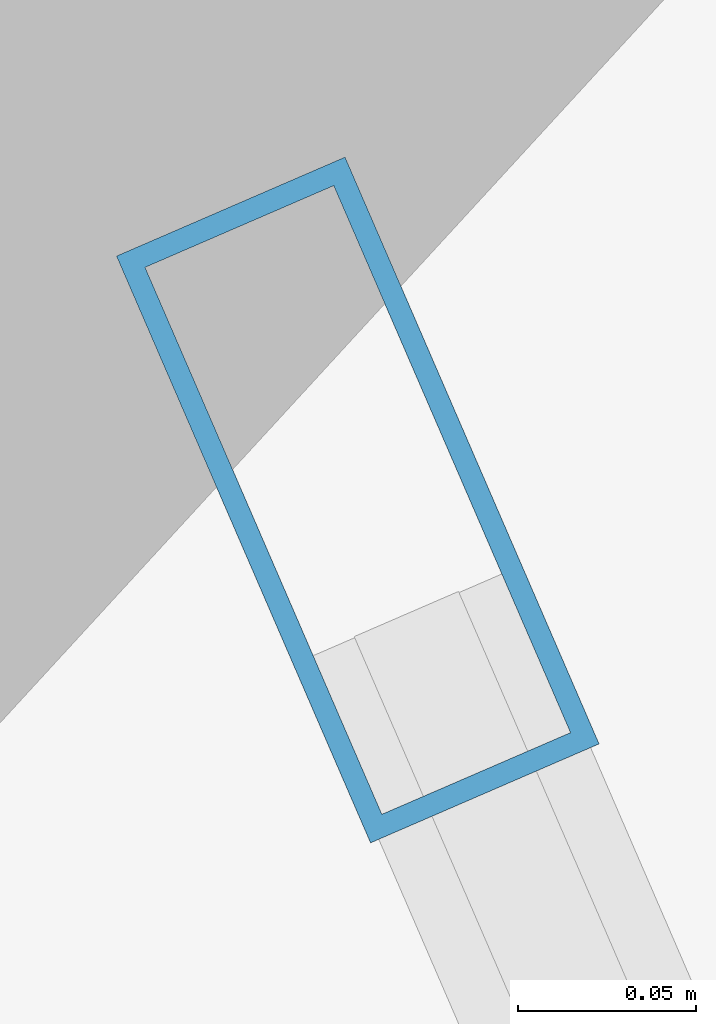
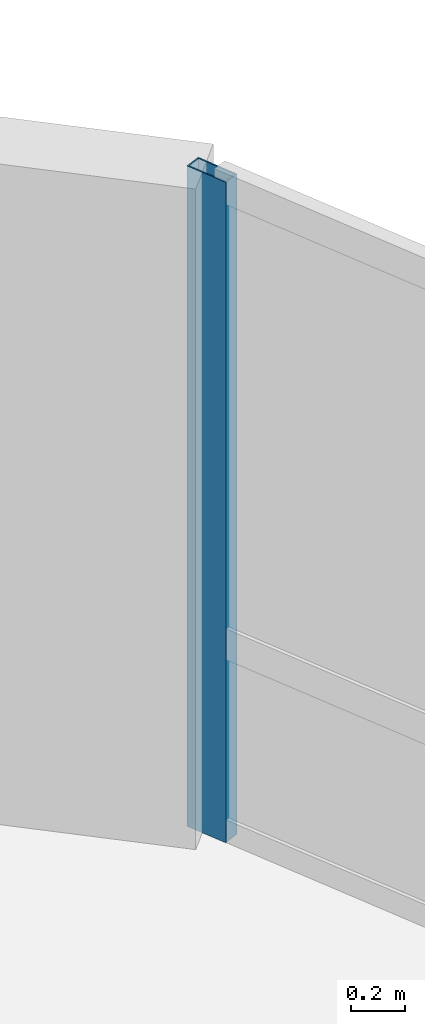
# One storey, part 10 of 17: 1 member, 1 element without a shape of its own.
"""IFC4 building model written with IfcOpenShell, lengths in metres."""

from ifc_helpers import new_model, si_unit, direction, frame, origin, origin_2d, place, context, subcontext, project, spatial, hollow_rectangle, extrude, material, layer, layer_set, material_profile, profile_set, type_object, element, aggregate, save


model = new_model("IFC4")

# Units and contexts
model_context = context("Model", 3, precision=1e-05, world=origin(), true_north=direction((0.0, 1.0)))
body_context = subcontext(model_context, "Body", "Model", "MODEL_VIEW")
ifc_project = project(units=[si_unit("LENGTHUNIT", "METRE"), si_unit("AREAUNIT", "SQUARE_METRE"), si_unit("VOLUMEUNIT", "CUBIC_METRE"), si_unit("PLANEANGLEUNIT", "RADIAN"), si_unit("MASSUNIT", "GRAM", prefix="KILO"), si_unit("THERMODYNAMICTEMPERATUREUNIT", "KELVIN"), si_unit("POWERUNIT", "WATT")], contexts=[model_context])

# Site, building, storey
site_placement = place(None, origin())
site = spatial("IfcSite", under=ifc_project, at=site_placement, CompositionType="ELEMENT")
building_placement = place(site_placement, origin())
building = spatial("IfcBuilding", under=site, at=building_placement, Name="Ocrelia Relay Tower", CompositionType="ELEMENT")
storey_placement = place(building_placement, frame((0.0, 0.0, 76.199951171875)))
storey = spatial("IfcBuildingStorey", under=building, at=storey_placement, Name="L17", CompositionType="ELEMENT", Elevation=76.199951171875)

# Curtain wall, member
ifc_material_1 = material(Name="Aluminium and solar-control low-E glass", Category="aluminium")
ifc_layer = layer(ifc_material_1, 0.179931640625, Name="Aluminium and solar-control low-E glass")
ifc_layer_set = layer_set([ifc_layer], Name="Aluminium and solar-control low-E glass")
curtain_wall_type = type_object("IfcCurtainWallType", Name="CW-SYS-Z1-DATA", PredefinedType="NOTDEFINED", material=ifc_layer_set)
curtain_wall_placement = place(storey_placement, origin())
curtain_wall = element("IfcCurtainWall", 1, at=curtain_wall_placement, inside=storey, type_object=curtain_wall_type, Name="L17 Elliptical Tower Curtain Wall Bay 01", PredefinedType="NOTDEFINED")
ifc_material_2 = material(Name="Anodised bronze aluminium", Category="aluminium")
ifc_material_profile = material_profile(ifc_material_2, hollow_rectangle(XDim=0.070068359375, YDim=0.179931640625, WallThickness=0.006103515625, at=origin_2d()), Name="CW-MUL-180x70")
ifc_profile_set = profile_set([ifc_material_profile], Name="Anodised bronze aluminium")
member_type = type_object("IfcMemberType", Name="CW-SYS-Z1-DATA-MUL", PredefinedType="MULLION", material=ifc_profile_set)
member_placement = place(storey_placement, frame((58.3828125, 37.870361328125, 0.0), z_axis=(0.0, 0.0, 1.0), x_axis=(-0.917682954818, -0.397313471249, 0.0)))
member = element("IfcMember", 2, at=member_placement, type_object=member_type, Name="CW-Z1 mullion 3", PredefinedType="MULLION", context=body_context, shape_type="SweptSolid", body=[
    extrude(hollow_rectangle(XDim=0.070068359375, YDim=0.179931640625, WallThickness=0.006103515625, at=origin_2d()), origin(), (0.0, 0.0, 1.0), 3.0),
])
aggregate(curtain_wall, [member])

save(model, "model.ifc")
